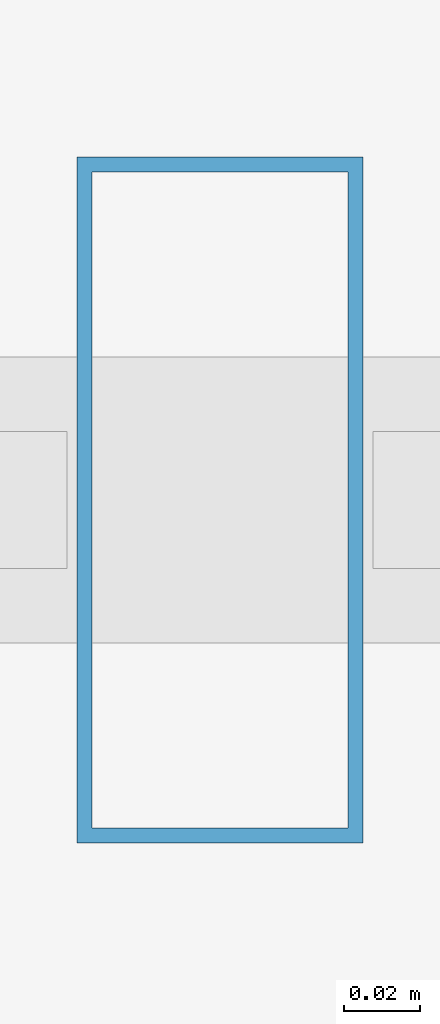
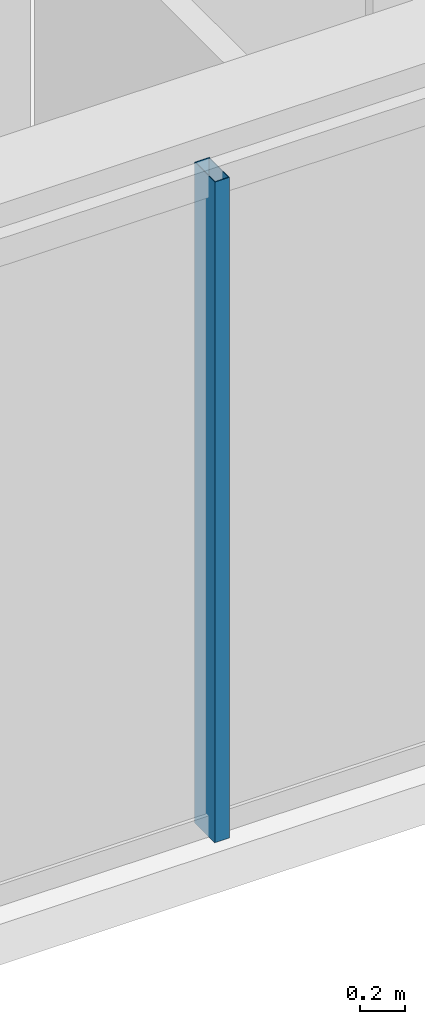
# One storey, part 11 of 32: 1 member, 1 element without a shape of its own.
"""IFC4 building model written with IfcOpenShell, lengths in metres."""

from ifc_helpers import new_model, si_unit, direction, frame, origin, origin_2d, place, context, subcontext, project, spatial, hollow_rectangle, extrude, material, layer, layer_set, material_profile, profile_set, type_object, element, aggregate, save


model = new_model("IFC4")

# Units and contexts
model_context = context("Model", 3, precision=1e-05, world=origin(), true_north=direction((0.0, 1.0)))
body_context = subcontext(model_context, "Body", "Model", "MODEL_VIEW")
ifc_project = project(units=[si_unit("LENGTHUNIT", "METRE"), si_unit("AREAUNIT", "SQUARE_METRE"), si_unit("VOLUMEUNIT", "CUBIC_METRE"), si_unit("PLANEANGLEUNIT", "RADIAN"), si_unit("MASSUNIT", "GRAM", prefix="KILO")], contexts=[model_context])

# Site, building, storey
site_placement = place(None, origin())
site = spatial("IfcSite", under=ifc_project, at=site_placement, CompositionType="ELEMENT")
building_placement = place(site_placement, origin())
building = spatial("IfcBuilding", under=site, at=building_placement, Name="Ndaravel Arena Tower", CompositionType="ELEMENT")
storey_placement = place(building_placement, frame((0.0, 0.0, 93.0)))
storey = spatial("IfcBuildingStorey", under=building, at=storey_placement, Name="L21", CompositionType="ELEMENT", Elevation=93.0)

# Curtain wall, member
ifc_material_1 = material(Name="Aluminium", Category="aluminium")
ifc_layer = layer(ifc_material_1, 0.179931640625)
ifc_layer_set = layer_set([ifc_layer], Name="Aluminium")
curtain_wall_type = type_object("IfcCurtainWallType", Name="CW-SYS-03", PredefinedType="NOTDEFINED", material=ifc_layer_set)
curtain_wall_placement = place(storey_placement, origin())
curtain_wall = element("IfcCurtainWall", 1, at=curtain_wall_placement, inside=storey, type_object=curtain_wall_type, Name="L21 Faceted Crystal Curtain Wall CW-L21-E01", PredefinedType="NOTDEFINED")
ifc_material_2 = material(Name="Aluminium", Category="aluminium")
ifc_material_profile = material_profile(ifc_material_2, hollow_rectangle(XDim=0.074951171875, YDim=0.179931640625, WallThickness=0.00390625, at=origin_2d()), Name="CW MULLION 75x180x4")
ifc_profile_set = profile_set([ifc_material_profile], Name="Aluminium")
member_type = type_object("IfcMemberType", Name="MEM-CW-MUL180", PredefinedType="MULLION", material=ifc_profile_set)
member_placement = place(storey_placement, frame((50.30615234375, 5.159912109375, 0.0), z_axis=(0.0, 0.0, 1.0), x_axis=(1.0, 0.0, 0.0)))
member = element("IfcMember", 2, at=member_placement, type_object=member_type, Name="CW-L21-E01 Mullion 06", PredefinedType="MULLION", context=body_context, shape_type="SweptSolid", body=[
    extrude(hollow_rectangle(XDim=0.074951171875, YDim=0.179931640625, WallThickness=0.00390625, at=origin_2d()), origin(), (0.0, 0.0, 1.0), 3.580078125),
])
aggregate(curtain_wall, [member])

save(model, "model.ifc")
